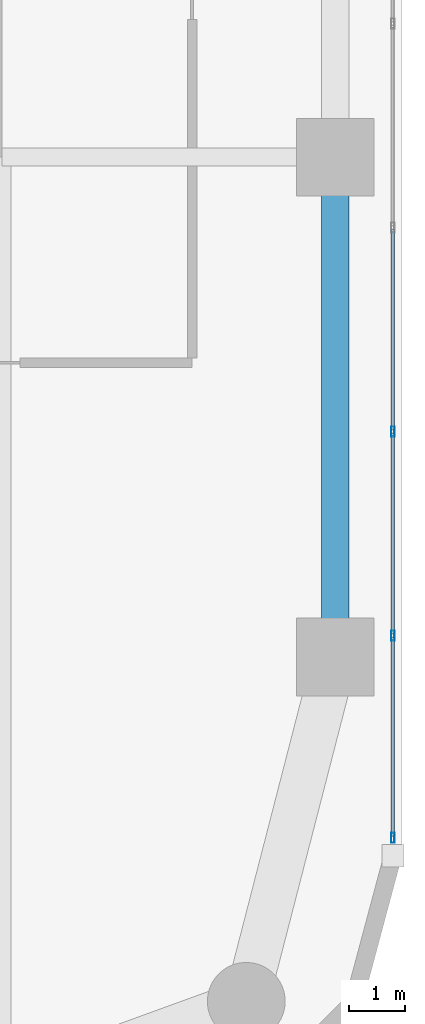
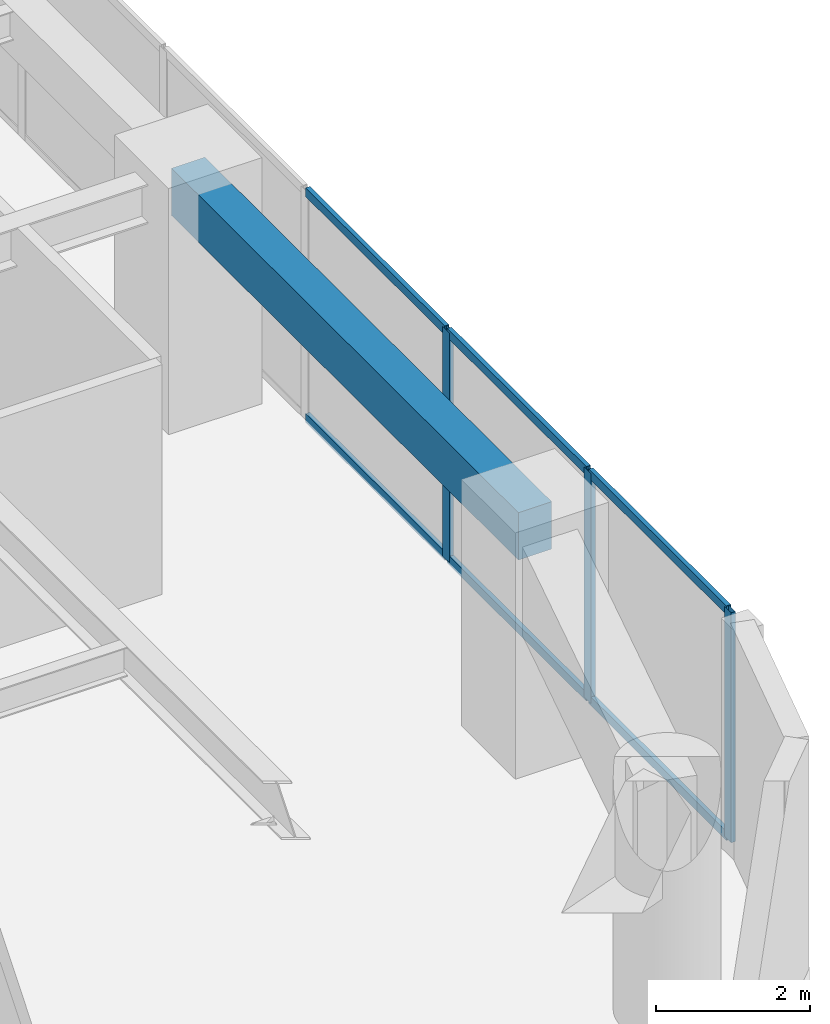
# One storey, part 4 of 24: 9 members, 1 beam, 1 element without a shape of its own.
"""IFC4 building model written with IfcOpenShell, lengths in metres."""

from ifc_helpers import new_model, si_unit, direction, frame, origin, origin_2d, place, context, subcontext, project, spatial, rectangle, hollow_rectangle, extrude, material, layer, layer_set, material_profile, profile_set, type_object, element, aggregate, save


model = new_model("IFC4")

# Units and contexts
model_context = context("Model", 3, precision=1e-05, world=origin(), true_north=direction((0.0, 1.0)))
body_context = subcontext(model_context, "Body", "Model", "MODEL_VIEW")
ifc_project = project(units=[si_unit("LENGTHUNIT", "METRE"), si_unit("AREAUNIT", "SQUARE_METRE"), si_unit("VOLUMEUNIT", "CUBIC_METRE"), si_unit("PLANEANGLEUNIT", "RADIAN"), si_unit("MASSUNIT", "GRAM", prefix="KILO")], contexts=[model_context])

# Site, building, storey
site_placement = place(None, origin())
site = spatial("IfcSite", under=ifc_project, at=site_placement, CompositionType="ELEMENT")
building_placement = place(site_placement, origin())
building = spatial("IfcBuilding", under=site, at=building_placement, Name="Kiyonajd Concourse Tower", CompositionType="ELEMENT")
storey_placement = place(building_placement, frame((0.0, 0.0, 101.39990234375)))
storey = spatial("IfcBuildingStorey", under=building, at=storey_placement, Name="L26", CompositionType="ELEMENT", Elevation=101.39990234375)

# Beam
ifc_material_1 = material(Name="Precast concrete C50/60", Category="concrete")
ifc_material_profile_1 = material_profile(ifc_material_1, rectangle(XDim=0.5, YDim=0.75, at=origin_2d()), Name="RCBM-500x750")
ifc_profile_set_1 = profile_set([ifc_material_profile_1], Name="Precast concrete C50/60")
beam_type = type_object("IfcBeamType", Name="BM-SPAN-RC", PredefinedType="SPANDREL", material=ifc_profile_set_1)
beam_placement = place(storey_placement, frame((69.60009765625, 18.60009765625, 3.26513671875), z_axis=(0.0, 1.0, 0.0), x_axis=(-1.0, 0.0, 0.0)))
element("IfcBeam", 1, at=beam_placement, inside=storey, type_object=beam_type, Name="L26 Perimeter Bundled Tube Spandrel", PredefinedType="SPANDREL", context=body_context, shape_type="SweptSolid", body=[
    extrude(rectangle(XDim=0.5, YDim=0.75, at=origin_2d()), origin(), (0.0, 0.0, 1.0), 9.0),
])

# Curtain wall, members
ifc_material_2 = material(Name="Thermally Broken Anodised Aluminium", Category="aluminium")
ifc_layer = layer(ifc_material_2, 0.179931640625)
ifc_layer_set = layer_set([ifc_layer], Name="Thermally Broken Anodised Aluminium")
curtain_wall_type = type_object("IfcCurtainWallType", Name="CW-SYS-03", PredefinedType="NOTDEFINED", material=ifc_layer_set)
curtain_wall_placement = place(storey_placement, origin())
curtain_wall = element("IfcCurtainWall", 2, at=curtain_wall_placement, inside=storey, type_object=curtain_wall_type, Name="L26 Unitised Curtain Wall CW3", PredefinedType="NOTDEFINED")
ifc_material_profile_2 = material_profile(ifc_material_2, hollow_rectangle(XDim=0.06494140625, YDim=0.179931640625, WallThickness=0.00390625, at=origin_2d()), Name="MULL-65x180")
ifc_profile_set_2 = profile_set([ifc_material_profile_2], Name="Thermally Broken Anodised Aluminium")
member_type_1 = type_object("IfcMemberType", Name="MB-CW-MULL1", PredefinedType="MULLION", material=ifc_profile_set_2)
member_1_placement = place(storey_placement, frame((70.639892578125, 22.657470703125, 0.0), z_axis=(0.0, 0.0, 1.0), x_axis=(1.0, 0.0, 0.0)))
member_1 = element("IfcMember", 3, at=member_1_placement, type_object=member_type_1, Name="CW3 mullion 5", PredefinedType="MULLION", context=body_context, shape_type="SweptSolid", body=[
    extrude(hollow_rectangle(XDim=0.06494140625, YDim=0.179931640625, WallThickness=0.00390625, at=origin_2d()), origin(), (0.0, 0.0, 1.0), 3.64013671875),
])
member_2_placement = place(storey_placement, frame((70.639892578125, 18.984130859375, 0.0), z_axis=(0.0, 0.0, 1.0), x_axis=(1.0, 0.0, 0.0)))
member_2 = element("IfcMember", 4, at=member_2_placement, type_object=member_type_1, Name="CW3 mullion 6", PredefinedType="MULLION", context=body_context, shape_type="SweptSolid", body=[
    extrude(hollow_rectangle(XDim=0.06494140625, YDim=0.179931640625, WallThickness=0.00390625, at=origin_2d()), origin(), (0.0, 0.0, 1.0), 3.64013671875),
])
member_3_placement = place(storey_placement, frame((70.639892578125, 15.343505859375, 0.0), z_axis=(0.0, 0.0, 1.0), x_axis=(1.0, 0.0, 0.0)))
member_3 = element("IfcMember", 5, at=member_3_placement, type_object=member_type_1, Name="CW3 mullion 7", PredefinedType="MULLION", context=body_context, shape_type="SweptSolid", body=[
    extrude(hollow_rectangle(XDim=0.06494140625, YDim=0.179931640625, WallThickness=0.00390625, at=origin_2d()), origin(), (0.0, 0.0, 1.0), 3.64013671875),
])
ifc_material_profile_3 = material_profile(ifc_material_2, hollow_rectangle(XDim=0.06494140625, YDim=0.139892578125, WallThickness=0.00390625, at=origin_2d()), Name="TRAN-65x140")
ifc_profile_set_3 = profile_set([ifc_material_profile_3], Name="Thermally Broken Anodised Aluminium")
member_type_2 = type_object("IfcMemberType", Name="MB-CW-TRAN1", PredefinedType="USERDEFINED", material=ifc_profile_set_3)
member_4_placement = place(storey_placement, frame((70.639892578125, 26.298095703125, 0.03271484375), z_axis=(0.0, -1.0, 0.0), x_axis=(1.0, 0.0, 0.0)))
member_4 = element("IfcMember", 6, at=member_4_placement, type_object=member_type_2, Name="CW3 transom 4.1", ObjectType="TRANSOM", PredefinedType="USERDEFINED", context=body_context, shape_type="SweptSolid", body=[
    extrude(hollow_rectangle(XDim=0.06494140625, YDim=0.139892578125, WallThickness=0.00390625, at=origin_2d()), origin(), (0.0, 0.0, 1.0), 3.608154296875),
])
member_5_placement = place(storey_placement, frame((70.639892578125, 26.298095703125, 3.607666015625), z_axis=(0.0, -1.0, 0.0), x_axis=(1.0, 0.0, 0.0)))
member_5 = element("IfcMember", 7, at=member_5_placement, type_object=member_type_2, Name="CW3 transom 4.2", ObjectType="TRANSOM", PredefinedType="USERDEFINED", context=body_context, shape_type="SweptSolid", body=[
    extrude(hollow_rectangle(XDim=0.06494140625, YDim=0.139892578125, WallThickness=0.00390625, at=origin_2d()), origin(), (0.0, 0.0, 1.0), 3.608154296875),
])
member_6_placement = place(storey_placement, frame((70.639892578125, 22.625, 0.03271484375), z_axis=(0.0, -1.0, 0.0), x_axis=(1.0, 0.0, 0.0)))
member_6 = element("IfcMember", 8, at=member_6_placement, type_object=member_type_2, Name="CW3 transom 5.1", ObjectType="TRANSOM", PredefinedType="USERDEFINED", context=body_context, shape_type="SweptSolid", body=[
    extrude(hollow_rectangle(XDim=0.06494140625, YDim=0.139892578125, WallThickness=0.00390625, at=origin_2d()), origin(), (0.0, 0.0, 1.0), 3.608154296875),
])
member_7_placement = place(storey_placement, frame((70.639892578125, 22.625, 3.607666015625), z_axis=(0.0, -1.0, 0.0), x_axis=(1.0, 0.0, 0.0)))
member_7 = element("IfcMember", 9, at=member_7_placement, type_object=member_type_2, Name="CW3 transom 5.2", ObjectType="TRANSOM", PredefinedType="USERDEFINED", context=body_context, shape_type="SweptSolid", body=[
    extrude(hollow_rectangle(XDim=0.06494140625, YDim=0.139892578125, WallThickness=0.00390625, at=origin_2d()), origin(), (0.0, 0.0, 1.0), 3.608154296875),
])
member_8_placement = place(storey_placement, frame((70.639892578125, 18.95166015625, 0.03271484375), z_axis=(0.0, -1.0, 0.0), x_axis=(1.0, 0.0, 0.0)))
member_8 = element("IfcMember", 10, at=member_8_placement, type_object=member_type_2, Name="CW3 transom 6.1", ObjectType="TRANSOM", PredefinedType="USERDEFINED", context=body_context, shape_type="SweptSolid", body=[
    extrude(hollow_rectangle(XDim=0.06494140625, YDim=0.139892578125, WallThickness=0.00390625, at=origin_2d()), origin(), (0.0, 0.0, 1.0), 3.575439453125),
])
member_9_placement = place(storey_placement, frame((70.639892578125, 18.95166015625, 3.607666015625), z_axis=(0.0, -1.0, 0.0), x_axis=(1.0, 0.0, 0.0)))
member_9 = element("IfcMember", 11, at=member_9_placement, type_object=member_type_2, Name="CW3 transom 6.2", ObjectType="TRANSOM", PredefinedType="USERDEFINED", context=body_context, shape_type="SweptSolid", body=[
    extrude(hollow_rectangle(XDim=0.06494140625, YDim=0.139892578125, WallThickness=0.00390625, at=origin_2d()), origin(), (0.0, 0.0, 1.0), 3.575439453125),
])
aggregate(curtain_wall, [member_1, member_2, member_3, member_4, member_5, member_6, member_7, member_8, member_9])

save(model, "model.ifc")
